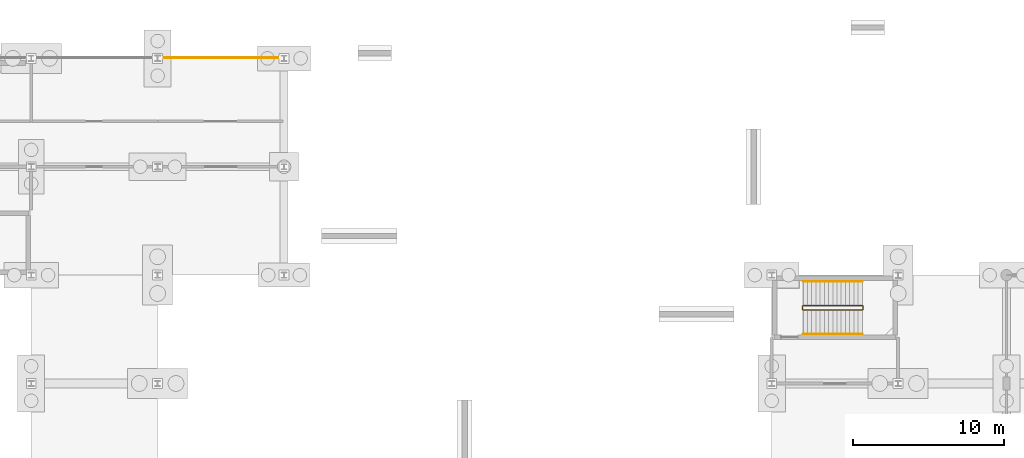
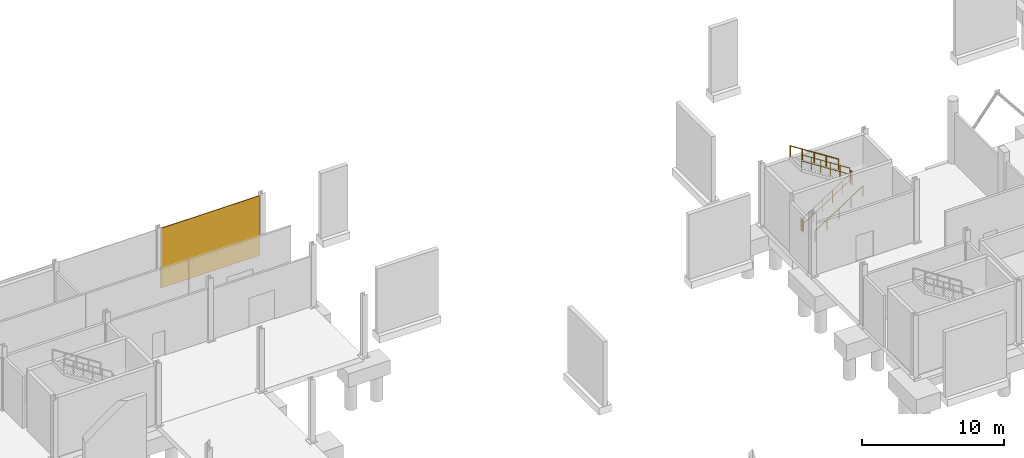
# One storey, part 58 of 61: 6 railings, 1 covering.
"""IFC4 building model written with IfcOpenShell, lengths in metres."""

from ifc_helpers import new_model, si_unit, direction, frame, origin, origin_2d, place, context, subcontext, project, spatial, polyline, circle, outline, extrude, material, layer, layer_set, type_object, element, save


model = new_model("IFC4")

# Units and contexts
model_context = context("Model", 3, precision=1e-05, world=origin(), true_north=direction((0.0, 1.0)))
body_context = subcontext(model_context, "Body", "Model", "MODEL_VIEW")
ifc_project = project(units=[si_unit("LENGTHUNIT", "METRE"), si_unit("AREAUNIT", "SQUARE_METRE"), si_unit("VOLUMEUNIT", "CUBIC_METRE"), si_unit("PLANEANGLEUNIT", "RADIAN"), si_unit("MASSUNIT", "GRAM", prefix="KILO")], contexts=[model_context])

# Site, building, storey
site_placement = place(None, origin())
site = spatial("IfcSite", under=ifc_project, at=site_placement, CompositionType="ELEMENT")
building_placement = place(site_placement, origin())
building = spatial("IfcBuilding", under=site, at=building_placement, Name="Calvrana Isthmian Art Gallery", CompositionType="ELEMENT")
storey_placement = place(building_placement, frame((0.0, 0.0, -5.39990234375)))
storey = spatial("IfcBuildingStorey", under=building, at=storey_placement, Name="B1", CompositionType="ELEMENT", Elevation=-5.39990234375)

# Covering
ifc_material_1 = material(Name="Pale Isthmian limestone", Category="masonry")
ifc_layer = layer(ifc_material_1, 0.06005859375, Name="Pale Isthmian limestone")
ifc_layer_set = layer_set([ifc_layer], Name="Pale Isthmian limestone")
covering_type = type_object("IfcCoveringType", Name="COV-PLINTH-LIME", PredefinedType="CLADDING", material=ifc_layer_set)
covering_placement = place(storey_placement, origin())
element("IfcCovering", 1, at=covering_placement, inside=storey, type_object=covering_type, Name="Limestone basement plinth panel X-022", PredefinedType="CLADDING", context=body_context, shape_type="SweptSolid", body=[
    extrude(outline(polyline([(63.797607421875, 112.800048828125), (71.8154296875, 112.800048828125), (71.8154296875, 112.860107421875), (63.797607421875, 112.860107421875), (63.797607421875, 112.800048828125)])), origin(), (0.0, 0.0, 1.0), 5.14990234375),
])

# Railings
ifc_material_2 = material(Name="Stainless steel 316", Category="steel")
railing_type_1 = type_object("IfcRailingType", Name="RL-GUARD-1120", PredefinedType="BALUSTRADE", material=ifc_material_2)
railing_1_placement = place(storey_placement, frame((106.5, 96.080078125, 0.179931640625)))
element("IfcRailing", 2, at=railing_1_placement, inside=storey, type_object=railing_type_1, Name="Stair ST-8 guard B1-1", PredefinedType="BALUSTRADE", context=body_context, shape_type="SweptSolid", body=[
    extrude(circle(Radius=0.02392578125, at=origin_2d()), frame((0.0, 0.0, 1.09619140625), z_axis=(0.841171666519, 0.0, 0.540768182723), x_axis=(0.0, 1.0, 0.0)), (0.0, 0.0, 1.0), 4.66015625),
    extrude(circle(Radius=0.02392578125, at=origin_2d()), frame((0.0, 0.0, 0.56005859375), z_axis=(0.841171666519, 0.0, 0.540768182723), x_axis=(0.0, 1.0, 0.0)), (0.0, 0.0, 1.0), 4.66015625),
    extrude(circle(Radius=0.02099609375, at=origin_2d()), origin(), (0.0, 0.0, 1.0), 1.072021484375),
    extrude(circle(Radius=0.02099609375, at=origin_2d()), frame((0.783935546875, 0.0, 0.50390625)), (0.0, 0.0, 1.0), 1.072021484375),
    extrude(circle(Radius=0.02099609375, at=origin_2d()), frame((1.56787109375, 0.0, 1.008056640625)), (0.0, 0.0, 1.0), 1.072021484375),
    extrude(circle(Radius=0.02099609375, at=origin_2d()), frame((2.35205078125, 0.0, 1.511962890625)), (0.0, 0.0, 1.0), 1.072021484375),
    extrude(circle(Radius=0.02099609375, at=origin_2d()), frame((3.135986328125, 0.0, 2.01611328125)), (0.0, 0.0, 1.0), 1.072021484375),
    extrude(circle(Radius=0.02099609375, at=origin_2d()), frame((3.919921875, 0.0, 2.52001953125)), (0.0, 0.0, 1.0), 1.072021484375),
])
railing_2_placement = place(storey_placement, frame((110.469970703125, 96.1298828125, 2.699951171875)))
element("IfcRailing", 3, at=railing_2_placement, inside=storey, type_object=railing_type_1, Name="Stair ST-8 guard B1-2", PredefinedType="BALUSTRADE", context=body_context, shape_type="SweptSolid", body=[
    extrude(circle(Radius=0.02392578125, at=origin_2d()), frame((0.0, 0.0, 1.09619140625), z_axis=(0.0, 1.0, 0.0), x_axis=(-1.0, 0.0, 0.0)), (0.0, 0.0, 1.0), 0.2001953125),
    extrude(circle(Radius=0.02392578125, at=origin_2d()), frame((0.0, 0.0, 0.56005859375), z_axis=(0.0, 1.0, 0.0), x_axis=(-1.0, 0.0, 0.0)), (0.0, 0.0, 1.0), 0.2001953125),
    extrude(circle(Radius=0.02099609375, at=origin_2d()), origin(), (0.0, 0.0, 1.0), 1.072021484375),
    extrude(circle(Radius=0.02099609375, at=origin_2d()), frame((0.0, 0.2001953125, 0.0)), (0.0, 0.0, 1.0), 1.072021484375),
])
railing_3_placement = place(storey_placement, frame((110.419921875, 96.3798828125, 2.8798828125)))
element("IfcRailing", 4, at=railing_3_placement, inside=storey, type_object=railing_type_1, Name="Stair ST-8 guard B1-3", PredefinedType="BALUSTRADE", context=body_context, shape_type="SweptSolid", body=[
    extrude(circle(Radius=0.02392578125, at=origin_2d()), frame((0.0, 0.0, 1.09619140625), z_axis=(-0.841171666519, 0.0, 0.540768182723), x_axis=(0.0, -1.0, 0.0)), (0.0, 0.0, 1.0), 4.66015625),
    extrude(circle(Radius=0.02392578125, at=origin_2d()), frame((0.0, 0.0, 0.56005859375), z_axis=(-0.841171666519, 0.0, 0.540768182723), x_axis=(0.0, -1.0, 0.0)), (0.0, 0.0, 1.0), 4.66015625),
    extrude(circle(Radius=0.02099609375, at=origin_2d()), origin(), (0.0, 0.0, 1.0), 1.072021484375),
    extrude(circle(Radius=0.02099609375, at=origin_2d()), frame((-0.783935546875, 0.0, 0.50390625)), (0.0, 0.0, 1.0), 1.072021484375),
    extrude(circle(Radius=0.02099609375, at=origin_2d()), frame((-1.56787109375, 0.0, 1.008056640625)), (0.0, 0.0, 1.0), 1.072021484375),
    extrude(circle(Radius=0.02099609375, at=origin_2d()), frame((-2.35205078125, 0.0, 1.511962890625)), (0.0, 0.0, 1.0), 1.072021484375),
    extrude(circle(Radius=0.02099609375, at=origin_2d()), frame((-3.135986328125, 0.0, 2.01611328125)), (0.0, 0.0, 1.0), 1.072021484375),
    extrude(circle(Radius=0.02099609375, at=origin_2d()), frame((-3.919921875, 0.0, 2.52001953125)), (0.0, 0.0, 1.0), 1.072021484375),
])
railing_4_placement = place(storey_placement, frame((106.449951171875, 96.1298828125, 0.0)))
element("IfcRailing", 5, at=railing_4_placement, inside=storey, type_object=railing_type_1, Name="Stair ST-8 guard B1-4", PredefinedType="BALUSTRADE", context=body_context, shape_type="SweptSolid", body=[
    extrude(circle(Radius=0.02392578125, at=origin_2d()), frame((0.0, 0.0, 1.09619140625), z_axis=(0.0, 1.0, 0.0), x_axis=(-1.0, 0.0, 0.0)), (0.0, 0.0, 1.0), 0.2001953125),
    extrude(circle(Radius=0.02392578125, at=origin_2d()), frame((0.0, 0.0, 0.56005859375), z_axis=(0.0, 1.0, 0.0), x_axis=(-1.0, 0.0, 0.0)), (0.0, 0.0, 1.0), 0.2001953125),
    extrude(circle(Radius=0.02099609375, at=origin_2d()), origin(), (0.0, 0.0, 1.0), 1.072021484375),
    extrude(circle(Radius=0.02099609375, at=origin_2d()), frame((0.0, 0.2001953125, 0.0)), (0.0, 0.0, 1.0), 1.072021484375),
])
railing_type_2 = type_object("IfcRailingType", Name="RL-HAND-920", PredefinedType="HANDRAIL", material=ifc_material_2)
railing_5_placement = place(storey_placement, frame((106.5, 94.47998046875, 0.179931640625)))
element("IfcRailing", 6, at=railing_5_placement, inside=storey, type_object=railing_type_2, Name="Stair ST-8 handrail B1-1", PredefinedType="HANDRAIL", context=body_context, shape_type="SweptSolid", body=[
    extrude(circle(Radius=0.02392578125, at=origin_2d()), frame((0.0, 0.0, 0.89599609375), z_axis=(0.841171666519, 0.0, 0.540768182723), x_axis=(0.0, 1.0, 0.0)), (0.0, 0.0, 1.0), 4.66015625),
    extrude(circle(Radius=0.02099609375, at=origin_2d()), origin(), (0.0, 0.0, 1.0), 0.871826171875),
    extrude(circle(Radius=0.02099609375, at=origin_2d()), frame((0.97998046875, 0.0, 0.6298828125)), (0.0, 0.0, 1.0), 0.871826171875),
    extrude(circle(Radius=0.02099609375, at=origin_2d()), frame((1.9599609375, 0.0, 1.260009765625)), (0.0, 0.0, 1.0), 0.871826171875),
    extrude(circle(Radius=0.02099609375, at=origin_2d()), frame((2.93994140625, 0.0, 1.89013671875)), (0.0, 0.0, 1.0), 0.871826171875),
    extrude(circle(Radius=0.02099609375, at=origin_2d()), frame((3.919921875, 0.0, 2.52001953125)), (0.0, 0.0, 1.0), 0.871826171875),
])
railing_6_placement = place(storey_placement, frame((110.419921875, 97.97998046875, 2.8798828125)))
element("IfcRailing", 7, at=railing_6_placement, inside=storey, type_object=railing_type_2, Name="Stair ST-8 handrail B1-2", PredefinedType="HANDRAIL", context=body_context, shape_type="SweptSolid", body=[
    extrude(circle(Radius=0.02392578125, at=origin_2d()), frame((0.0, 0.0, 0.89599609375), z_axis=(-0.841171666519, 0.0, 0.540768182723), x_axis=(0.0, -1.0, 0.0)), (0.0, 0.0, 1.0), 4.66015625),
    extrude(circle(Radius=0.02099609375, at=origin_2d()), origin(), (0.0, 0.0, 1.0), 0.871826171875),
    extrude(circle(Radius=0.02099609375, at=origin_2d()), frame((-0.97998046875, 0.0, 0.6298828125)), (0.0, 0.0, 1.0), 0.871826171875),
    extrude(circle(Radius=0.02099609375, at=origin_2d()), frame((-1.9599609375, 0.0, 1.260009765625)), (0.0, 0.0, 1.0), 0.871826171875),
    extrude(circle(Radius=0.02099609375, at=origin_2d()), frame((-2.93994140625, 0.0, 1.89013671875)), (0.0, 0.0, 1.0), 0.871826171875),
    extrude(circle(Radius=0.02099609375, at=origin_2d()), frame((-3.919921875, 0.0, 2.52001953125)), (0.0, 0.0, 1.0), 0.871826171875),
])

save(model, "model.ifc")
